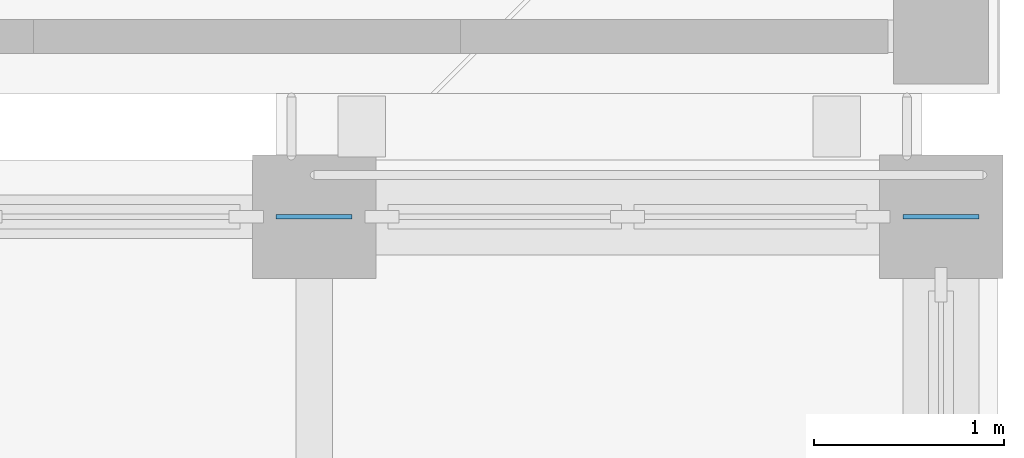
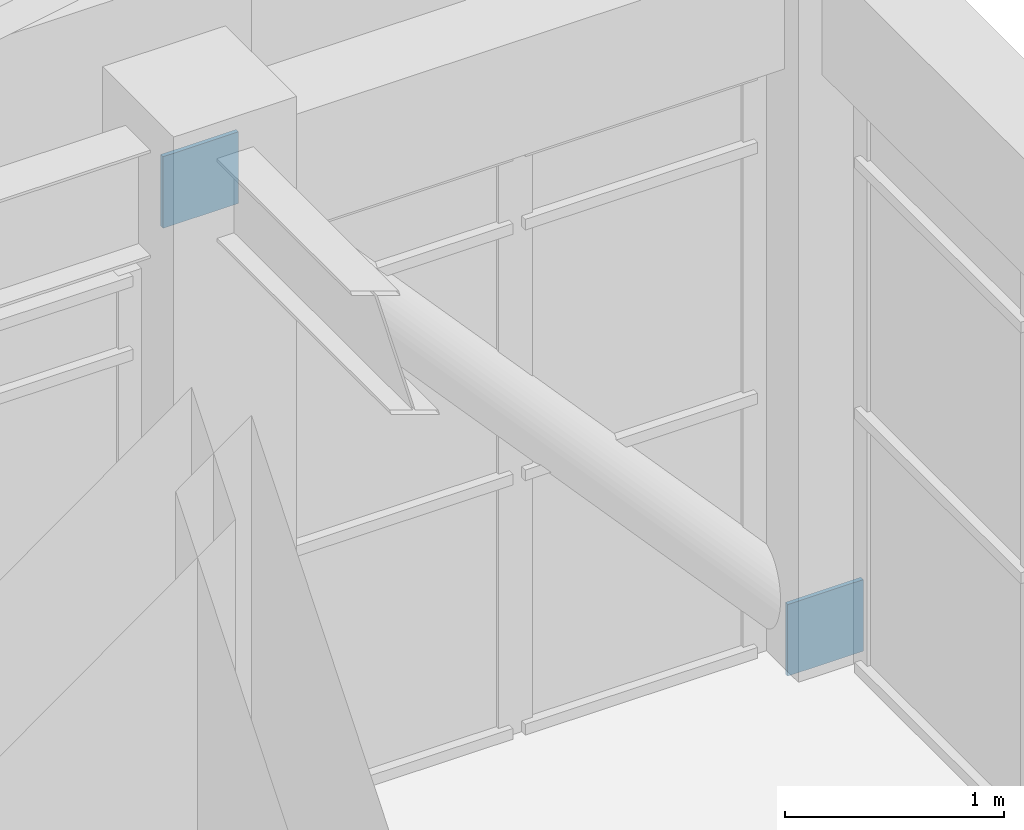
# One storey, part 51 of 66: 2 plates.
"""IFC4 building model written with IfcOpenShell, lengths in metres."""

from ifc_helpers import new_model, si_unit, direction, frame, origin, origin_2d, place, context, subcontext, project, spatial, rectangle, extrude, material, layer, layer_set, type_object, element, save


model = new_model("IFC4")

# Units and contexts
model_context = context("Model", 3, precision=1e-05, world=origin(), true_north=direction((0.0, 1.0)))
body_context = subcontext(model_context, "Body", "Model", "MODEL_VIEW")
ifc_project = project(units=[si_unit("LENGTHUNIT", "METRE"), si_unit("AREAUNIT", "SQUARE_METRE"), si_unit("VOLUMEUNIT", "CUBIC_METRE"), si_unit("PLANEANGLEUNIT", "RADIAN"), si_unit("MASSUNIT", "GRAM", prefix="KILO")], contexts=[model_context])

# Site, building, storey
site_placement = place(None, origin())
site = spatial("IfcSite", under=ifc_project, at=site_placement, CompositionType="ELEMENT")
building_placement = place(site_placement, origin())
building = spatial("IfcBuilding", under=site, at=building_placement, Name="Candilejo Ridge Gondola Terminal", CompositionType="ELEMENT")
storey_placement = place(building_placement, frame((0.0, 0.0, 14.39990234375)))
storey = spatial("IfcBuildingStorey", under=building, at=storey_placement, Name="L03", CompositionType="ELEMENT", Elevation=14.39990234375)

# Plates
ifc_material = material(Name="Steel ASTM A572 Grade 50", Category="steel")
ifc_layer = layer(ifc_material, 0.02197265625)
ifc_layer_set = layer_set([ifc_layer], Name="STR-NODE-PLATE-400X400X22")
plate_type = type_object("IfcPlateType", Name="STR-NODE-PLATE-400X400X22", PredefinedType="USERDEFINED", material=ifc_layer_set)
for number, where, z_axis, x_axis, name in (
    (1, (175.300048828125, 47.699951171875, -0.199951171875), (0.0, 0.0, 1.0), (1.0, 0.0, 0.0), "Portal strut gusset plate 170"),
    (2, (172.0, 47.699951171875, 3.4560546875), (0.0, 0.0, 1.0), (1.0, 0.0, 0.0), "Portal strut gusset plate 171"),
):
    element("IfcPlate", number, at=place(storey_placement, frame(where, z_axis=z_axis, x_axis=x_axis)), inside=storey, type_object=plate_type, Name=name, ObjectType="NODE PLATE", PredefinedType="USERDEFINED", context=body_context, shape_type="SweptSolid", body=[
        extrude(rectangle(XDim=0.39990234375, YDim=0.02197265625, at=origin_2d()), origin(), (0.0, 0.0, 1.0), 0.39990234375),
    ])

save(model, "model.ifc")
